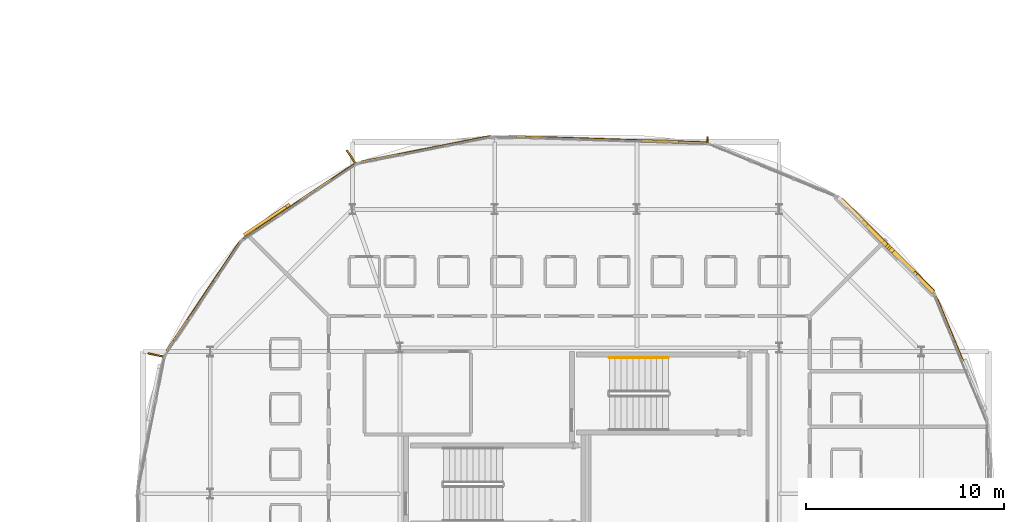
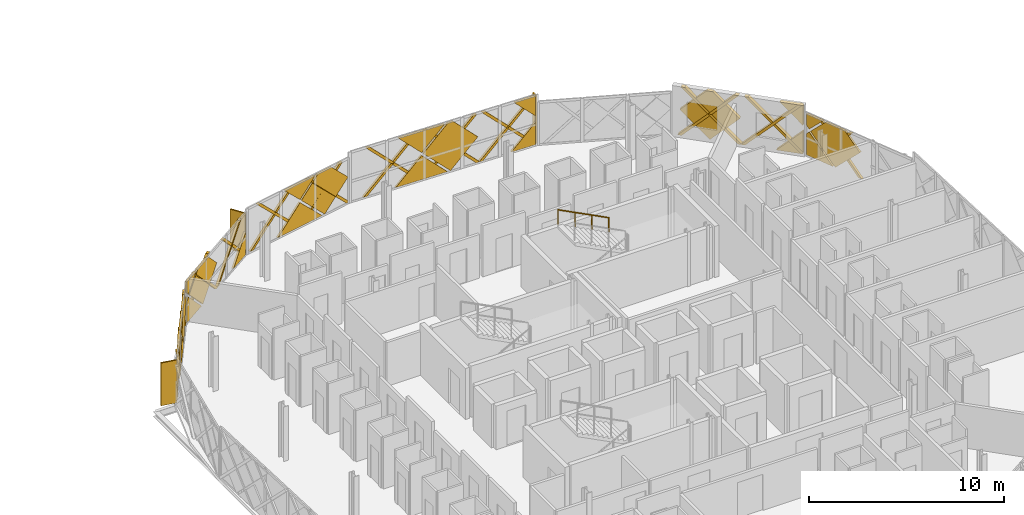
# One storey, part 25 of 26: 45 coverings, 3 shading devices, 1 railing.
"""IFC4 building model written with IfcOpenShell, lengths in metres."""

from ifc_helpers import new_model, si_unit, direction, frame, origin, origin_2d, place, context, subcontext, project, spatial, polyline, rectangle, circle, outline, extrude, material, layer, layer_set, type_object, element, save


model = new_model("IFC4")

# Units and contexts
model_context = context("Model", 3, precision=1e-05, world=origin(), true_north=direction((0.0, 1.0)))
body_context = subcontext(model_context, "Body", "Model", "MODEL_VIEW")
ifc_project = project(units=[si_unit("LENGTHUNIT", "METRE"), si_unit("AREAUNIT", "SQUARE_METRE"), si_unit("VOLUMEUNIT", "CUBIC_METRE"), si_unit("PLANEANGLEUNIT", "RADIAN"), si_unit("MASSUNIT", "GRAM", prefix="KILO")], contexts=[model_context])

# Site, building, storey
site_placement = place(None, origin())
site = spatial("IfcSite", under=ifc_project, at=site_placement, CompositionType="ELEMENT")
building_placement = place(site_placement, origin())
building = spatial("IfcBuilding", under=site, at=building_placement, Name="Zevrakil Square Congress Hotel", CompositionType="ELEMENT")
storey_placement = place(building_placement, frame((0.0, 0.0, 24.89990234375)))
storey = spatial("IfcBuildingStorey", under=building, at=storey_placement, Name="L07", CompositionType="ELEMENT", Elevation=24.89990234375)

# Coverings
ifc_material_1 = material(Name="Architectural White Fibre-C GRC", Category="concrete")
ifc_layer_1 = layer(ifc_material_1, 0.06494140625)
ifc_layer_set_1 = layer_set([ifc_layer_1], Name="Architectural White Fibre-C GRC")
covering_type_1 = type_object("IfcCoveringType", Name="COV-DIA-WHITE", PredefinedType="CLADDING", material=ifc_layer_set_1)
covering_1_placement = place(storey_placement, frame((164.0302734375, 41.05224609375, 1.590087890625), z_axis=(0.92386810369, 0.382710638562, 0.000542324282), x_axis=(-0.270236009364, 0.653355103566, -0.707177211092)))
element("IfcCovering", 1, at=covering_1_placement, inside=storey, type_object=covering_type_1, Name="L07 45-degree white GRC diamond facade cassette 2671", PredefinedType="CLADDING", context=body_context, shape_type="SweptSolid", body=[
    extrude(outline(polyline([(0.0, 0.0), (0.26272196635071365, 2.7755575615628914e-17), (1.1991408726097759, -0.9363095231817212), (0.00019873089311528425, -2.135490849810203), (0.0, 0.0)])), origin(), (0.0, 0.0, -1.0), 0.1201171875),
])
covering_2_placement = place(storey_placement, frame((164.064697265625, 40.968994140625, 1.68017578125), z_axis=(0.923877977924, 0.382686728164, 0.000591603145), x_axis=(0.270972636356, -0.65308589072, -0.707144009159)))
element("IfcCovering", 2, at=covering_2_placement, inside=storey, type_object=covering_type_1, Name="L07 45-degree white GRC diamond facade cassette 2672", PredefinedType="CLADDING", context=body_context, shape_type="SweptSolid", body=[
    extrude(outline(polyline([(0.0, 0.0), (2.248605533367828, 2.220446049250313e-16), (2.248317905914291, -2.2485555053531043), (0.8837421533127142, -2.2484028603767086), (-9.63794901561732e-05, -1.3644710871021657), (0.0, 0.0)])), origin(), (0.0, 0.0, -1.0), 0.1201171875),
])
covering_3_placement = place(storey_placement, frame((164.0302734375, 41.05224609375, 1.77001953125), z_axis=(0.923845583399, 0.38276452138, 0.000811916158), x_axis=(0.270116807376, -0.653457502683, 0.707128137299)))
element("IfcCovering", 3, at=covering_3_placement, inside=storey, type_object=covering_type_1, Name="L07 45-degree white GRC diamond facade cassette 2673", PredefinedType="CLADDING", context=body_context, shape_type="SweptSolid", body=[
    extrude(outline(polyline([(0.0, 0.0), (1.2373995122715622, -1.1102230246251565e-16), (0.48735491597343306, -0.7500903814316147), (-3.179190812246935e-05, -0.26278809442613704), (0.0, 0.0)])), origin(), (0.0, 0.0, -1.0), 0.1201171875),
])
covering_4_placement = place(storey_placement, frame((162.886474609375, 42.46826171875, 0.080078125), z_axis=(0.707106648673, 0.707106648673, 0.000612213549), x_axis=(0.707106781187, -0.707106781187, 0.0)))
element("IfcCovering", 4, at=covering_4_placement, inside=storey, type_object=covering_type_1, Name="L07 45-degree white GRC diamond facade cassette 2678", PredefinedType="CLADDING", context=body_context, shape_type="SweptSolid", body=[
    extrude(outline(polyline([(0.0, 0.0), (1.4100703585770802, 0.0), (1.4098977250855795, -1.4099123735964307), (0.0, 0.0)])), origin(), (0.0, 0.0, -1.0), 0.2099609375),
])
covering_5_placement = place(storey_placement, frame((159.265380859375, 46.087890625, 1.68017578125), z_axis=(0.707106641906, 0.707106641906, 0.000627649203), x_axis=(0.500292804494, -0.499665128889, -0.707136386239)))
element("IfcCovering", 5, at=covering_5_placement, inside=storey, type_object=covering_type_1, Name="L07 45-degree white GRC diamond facade cassette 2680", PredefinedType="CLADDING", context=body_context, shape_type="SweptSolid", body=[
    extrude(outline(polyline([(0.0, 0.0), (2.24862974849449, -2.220446049250313e-16), (2.2484405679846855, -2.248629740536474), (0.22621762743305207, -2.248550819456704), (-9.121149439694776e-05, -2.022222940034629), (0.0, 0.0)])), origin(), (0.0, 0.0, -1.0), 0.2099609375),
])
covering_6_placement = place(storey_placement, frame((163.8828125, 41.470458984375, 1.8701171875), z_axis=(0.707106609866, 0.707106609866, 0.000696108102), x_axis=(-0.000590667305, -0.000393778204, 0.999999748025)))
element("IfcCovering", 6, at=covering_6_placement, inside=storey, type_object=covering_type_1, Name="L07 45-degree white GRC diamond facade cassette 2681", PredefinedType="CLADDING", context=body_context, shape_type="SweptSolid", body=[
    extrude(outline(polyline([(0.0, 0.0), (1.2399905468211239, -2.710505431213761e-20), (1.2401631612655943, -1.2398537239416354), (0.0, 0.0)])), origin(), (0.0, 0.0, -1.0), 0.2099609375),
])
covering_7_placement = place(storey_placement, frame((150.901611328125, 49.0576171875, 0.080078125), z_axis=(0.031515860743, 0.999503012125, 0.000692296459), x_axis=(0.999503251643, -0.031515868295, 0.0)))
element("IfcCovering", 7, at=covering_7_placement, inside=storey, type_object=covering_type_1, Name="L07 45-degree white GRC diamond facade cassette 2694", PredefinedType="CLADDING", context=body_context, shape_type="SweptSolid", body=[
    extrude(outline(polyline([(0.0, 0.0), (1.4098800430944958, 0.0), (1.4099108203096278, -1.4099124472425022), (0.0, 0.0)])), origin(), (0.0, 0.0, -1.0), 0.1201171875),
])
covering_8_placement = place(storey_placement, frame((145.694091796875, 49.22119140625, 1.590087890625), z_axis=(0.031608260045, 0.999500069571, 0.000727202961), x_axis=(-0.70675041326, 0.022864782053, -0.707093384991)))
element("IfcCovering", 8, at=covering_8_placement, inside=storey, type_object=covering_type_1, Name="L07 45-degree white GRC diamond facade cassette 2695", PredefinedType="CLADDING", context=body_context, shape_type="SweptSolid", body=[
    extrude(outline(polyline([(0.0, 0.0), (2.1355167474011854, 0.0), (-3.067431088421557e-05, -2.1354676370165535), (0.0, 0.0)])), origin(), (0.0, 0.0, -1.0), 0.1201171875),
])
covering_9_placement = place(storey_placement, frame((145.7841796875, 49.218505859375, 1.68017578125), z_axis=(0.031616713524, 0.999499883276, 0.000605605514), x_axis=(0.70671967958, -0.021926863397, -0.707153807283)))
element("IfcCovering", 9, at=covering_9_placement, inside=storey, type_object=covering_type_1, Name="L07 45-degree white GRC diamond facade cassette 2696", PredefinedType="CLADDING", context=body_context, shape_type="SweptSolid", body=[
    extrude(outline(polyline([(0.0, 0.0), (2.248574308503788, 0.0), (2.2483180313713227, -2.2486179779513296), (0.22611892427646607, -2.2485130193019938), (-0.00012662788407435954, -2.0222373799175806), (0.0, 0.0)])), origin(), (0.0, 0.0, -1.0), 0.1201171875),
])
covering_10_placement = place(storey_placement, frame((152.310791015625, 49.011962890625, 1.8701171875), z_axis=(0.03149903039, 0.999503608069, 0.000590374252), x_axis=(0.0, -0.000590667351, 0.999999825556)))
element("IfcCovering", 10, at=covering_10_placement, inside=storey, type_object=covering_type_1, Name="L07 45-degree white GRC diamond facade cassette 2697", PredefinedType="CLADDING", context=body_context, shape_type="SweptSolid", body=[
    extrude(outline(polyline([(0.0, 0.0), (1.2399904506838633, -3.3881317890172014e-21), (1.2399673777404576, -1.240117321133198), (0.0, 0.0)])), origin(), (0.0, 0.0, -1.0), 0.1201171875),
])
covering_11_placement = place(storey_placement, frame((145.694091796875, 49.22119140625, 1.77001953125), z_axis=(0.031610146257, 0.999500071274, 0.00063732014), x_axis=(0.706729672928, -0.022801887005, 0.707116145589)))
element("IfcCovering", 11, at=covering_11_placement, inside=storey, type_object=covering_type_1, Name="L07 45-degree white GRC diamond facade cassette 2698", PredefinedType="CLADDING", context=body_context, shape_type="SweptSolid", body=[
    extrude(outline(polyline([(0.0, 0.0), (1.8951453717819282, 2.220446049250313e-16), (8.916422478955077e-05, -1.8951071717858188), (0.0, 0.0)])), origin(), (0.0, 0.0, -1.0), 0.1201171875),
])
covering_12_placement = place(storey_placement, frame((138.18115234375, 48.69677734375, 1.590087890625), z_axis=(-0.195058894266, 0.98079136516, 0.00057078403), x_axis=(-0.693609627274, -0.137532945708, -0.707099974401)))
element("IfcCovering", 12, at=covering_12_placement, inside=storey, type_object=covering_type_1, Name="L07 45-degree white GRC diamond facade cassette 2705", PredefinedType="CLADDING", context=body_context, shape_type="SweptSolid", body=[
    extrude(outline(polyline([(0.0, 0.0), (2.135496846686384, 0.0), (-0.00010681681684965305, -2.1355632441343193), (0.0, 0.0)])), origin(), (0.0, 0.0, -1.0), 0.1201171875),
])
covering_13_placement = place(storey_placement, frame((138.26953125, 48.71435546875, 1.68017578125), z_axis=(-0.195078982795, 0.98078735307, 0.000598773963), x_axis=(0.693429313558, 0.138355054865, -0.707116444365)))
element("IfcCovering", 13, at=covering_13_placement, inside=storey, type_object=covering_type_1, Name="L07 45-degree white GRC diamond facade cassette 2706", PredefinedType="CLADDING", context=body_context, shape_type="SweptSolid", body=[
    extrude(outline(polyline([(0.0, 0.0), (2.2486930585312424, -2.220446049250313e-16), (2.2486004483288258, -2.234506573176084), (2.2344443085734693, -2.24866232094878), (0.6716698142640039, -2.248544897984588), (5.325206293926854e-06, -1.5768618092773996), (0.0, 0.0)])), origin(), (0.0, 0.0, -1.0), 0.1201171875),
])
covering_14_placement = place(storey_placement, frame((138.18115234375, 48.69677734375, 1.77001953125), z_axis=(-0.195062516044, 0.980790526335, 0.000747186019), x_axis=(0.693630781626, 0.137412653024, 0.707102610354)))
element("IfcCovering", 14, at=covering_14_placement, inside=storey, type_object=covering_type_1, Name="L07 45-degree white GRC diamond facade cassette 2707", PredefinedType="CLADDING", context=body_context, shape_type="SweptSolid", body=[
    extrude(outline(polyline([(0.0, 0.0), (1.4497846131012255, 0.0), (0.00012029593157258933, -1.4496480250923227), (0.0, 0.0)])), origin(), (0.0, 0.0, -1.0), 0.1201171875),
])
covering_15_placement = place(storey_placement, frame((133.315673828125, 47.13330078125, 0.080078125), z_axis=(-0.555618744269, 0.831436961663, 0.000624337381), x_axis=(0.831437123709, 0.555618852558, 0.0)))
element("IfcCovering", 15, at=covering_15_placement, inside=storey, type_object=covering_type_1, Name="L07 45-degree white GRC diamond facade cassette 2712", PredefinedType="CLADDING", context=body_context, shape_type="SweptSolid", body=[
    extrude(outline(polyline([(0.0, 0.0), (1.4100444252712594, -5.421010862427522e-20), (1.4100434530275447, -1.409912384164952), (0.0, 0.0)])), origin(), (0.0, 0.0, -1.0), 0.1201171875),
])
covering_16_placement = place(storey_placement, frame((128.984130859375, 44.238037109375, 1.590087890625), z_axis=(-0.55554813112, 0.831484238972, 0.000484096162), x_axis=(-0.588049787097, -0.392488018057, -0.707213265979)))
element("IfcCovering", 16, at=covering_16_placement, inside=storey, type_object=covering_type_1, Name="L07 45-degree white GRC diamond facade cassette 2713", PredefinedType="CLADDING", context=body_context, shape_type="SweptSolid", body=[
    extrude(outline(polyline([(0.0, 0.0), (0.26270868023988514, 2.7755575615628914e-17), (1.1991656696003137, -0.9362712710900696), (0.0002890137973388107, -2.1355094407174176), (0.0, 0.0)])), origin(), (0.0, 0.0, -1.0), 0.1201171875),
])
covering_17_placement = place(storey_placement, frame((129.05908203125, 44.2880859375, 1.68017578125), z_axis=(-0.555562640549, 0.831474440959, 0.000637540157), x_axis=(0.587666672332, 0.393200872534, -0.707135740908)))
element("IfcCovering", 17, at=covering_17_placement, inside=storey, type_object=covering_type_1, Name="L07 45-degree white GRC diamond facade cassette 2714", PredefinedType="CLADDING", context=body_context, shape_type="SweptSolid", body=[
    extrude(outline(polyline([(0.0, 0.0), (2.248631625319576, 0.0), (2.248445208742129, -2.2486303480690446), (0.8838600074465696, -2.248484379017242), (-1.5360345191006708e-05, -1.3645363621063007), (0.0, 0.0)])), origin(), (0.0, 0.0, -1.0), 0.1201171875),
])
covering_18_placement = place(storey_placement, frame((128.984375, 44.23779296875, 1.77001953125), z_axis=(-0.555367443162, 0.831604955318, 0.000448737996), x_axis=(0.588225858093, 0.392450997018, 0.707087374241)))
element("IfcCovering", 18, at=covering_18_placement, inside=storey, type_object=covering_type_1, Name="L07 45-degree white GRC diamond facade cassette 2715", PredefinedType="CLADDING", context=body_context, shape_type="SweptSolid", body=[
    extrude(outline(polyline([(0.0, 0.0), (1.2374706826950737, 2.220446049250313e-16), (0.48731523052432096, -0.7501145754835952), (3.2276094379807274e-05, -0.26270859430119997), (0.0, 0.0)])), origin(), (0.0, 0.0, -1.0), 0.1201171875),
])
covering_19_placement = place(storey_placement, frame((126.85400390625, 41.259521484375, 1.590087890625), z_axis=(-0.831477563043, 0.555557978924, 0.000627862189), x_axis=(-0.393187686399, -0.58766638793, -0.707143309211)))
element("IfcCovering", 19, at=covering_19_placement, inside=storey, type_object=covering_type_1, Name="L07 45-degree white GRC diamond facade cassette 2720", PredefinedType="CLADDING", context=body_context, shape_type="SweptSolid", body=[
    extrude(outline(polyline([(0.0, 0.0), (2.135365980213563, 0.0), (7.921732547955251e-05, -2.135508233026097), (0.0, 0.0)])), origin(), (0.0, 0.0, -1.0), 0.1201171875),
])
covering_20_placement = place(storey_placement, frame((126.904052734375, 41.33447265625, 1.68017578125), z_axis=(-0.831463641681, 0.555578867869, 0.000578048391), x_axis=(0.392497378177, 0.588136225553, -0.707136187956)))
element("IfcCovering", 20, at=covering_20_placement, inside=storey, type_object=covering_type_1, Name="L07 45-degree white GRC diamond facade cassette 2721", PredefinedType="CLADDING", context=body_context, shape_type="SweptSolid", body=[
    extrude(outline(polyline([(0.0, 0.0), (2.248630358419341, -2.220446049250313e-16), (2.2485320705424106, -2.2345633498264954), (2.234375535529621, -2.2487187026650597), (0.883811762471891, -2.2484378527616724), (3.2842620057205174e-05, -1.364585207899492), (0.0, 0.0)])), origin(), (0.0, 0.0, -1.0), 0.1201171875),
])
covering_21_placement = place(storey_placement, frame((126.85400390625, 41.259521484375, 1.77001953125), z_axis=(-0.83149166577, 0.555536881392, 0.000619006756), x_axis=(0.393198795927, 0.587726649808, 0.707087046966)))
element("IfcCovering", 21, at=covering_21_placement, inside=storey, type_object=covering_type_1, Name="L07 45-degree white GRC diamond facade cassette 2722", PredefinedType="CLADDING", context=body_context, shape_type="SweptSolid", body=[
    extrude(outline(polyline([(0.0, 0.0), (1.23747140292639, 1.1102230246251565e-16), (2.7936559897856483e-05, -1.2373748732150238), (0.0, 0.0)])), origin(), (0.0, 0.0, -1.0), 0.1201171875),
])
ifc_material_2 = material(Name="Anodised Champagne Aluminium", Category="aluminium")
ifc_layer_2 = layer(ifc_material_2, 0.0849609375)
ifc_layer_set_2 = layer_set([ifc_layer_2], Name="Anodised Champagne Aluminium")
covering_type_2 = type_object("IfcCoveringType", Name="COV-DIAGRID-45", PredefinedType="MOLDING", material=ifc_layer_set_2)
covering_22_placement = place(storey_placement, frame((165.268798828125, 38.1298828125, 0.080078125), z_axis=(0.923925444596, 0.382571868404, 0.000733713276), x_axis=(0.382571971644, -0.923925693177, -3.89905e-07)))
element("IfcCovering", 22, at=covering_22_placement, inside=storey, type_object=covering_type_2, Name="L07 45-degree aluminium diagrid rib 2675", PredefinedType="MOLDING", context=body_context, shape_type="SweptSolid", body=[
    extrude(outline(polyline([(0.0, 0.0), (0.21223359330528313, 0.0), (-2.352804578751418, -2.5649411792781356), (-2.564944770696436, -2.5649410138124664), (0.0, 0.0)])), origin(), (0.0, 0.0, -1.0), 0.14501953125),
])
covering_23_placement = place(storey_placement, frame((165.105712890625, 38.52001953125, 2.64501953125), z_axis=(0.923552244544, 0.383469946924, 0.001432272306), x_axis=(-0.383470340251, 0.923553191835, 0.0)))
element("IfcCovering", 23, at=covering_23_placement, inside=storey, type_object=covering_type_2, Name="L07 45-degree aluminium diagrid rib 2677", PredefinedType="MOLDING", context=body_context, shape_type="SweptSolid", body=[
    extrude(outline(polyline([(0.0, 0.0), (0.21200812577023703, -2.710505431213761e-20), (2.777049960640697, -2.5649440371195236), (2.56504183487046, -2.5649440371195236), (0.0, 0.0)])), origin(), (0.0, 0.0, -1.0), 0.14501953125),
])
covering_24_placement = place(storey_placement, frame((163.84033203125, 41.5498046875, 0.080078125), z_axis=(0.707264314761, 0.706948712762, 0.00084058837), x_axis=(0.706948962635, -0.707264564523, -1.87589e-07)))
element("IfcCovering", 24, at=covering_24_placement, inside=storey, type_object=covering_type_2, Name="L07 45-degree aluminium diagrid rib 2683", PredefinedType="MOLDING", context=body_context, shape_type="SweptSolid", body=[
    extrude(outline(polyline([(0.0, 0.0), (0.08597147662652055, -6.776263578034403e-21), (0.08614412496168612, -0.12622080364563068), (-2.817896556215111, -3.03002982263316), (-3.0298904784989813, -3.03002982263316), (0.0, 0.0)])), origin(), (0.0, 0.0, -1.0), 0.235107421875),
])
covering_25_placement = place(storey_placement, frame((161.46435546875, 43.925537109375, 0.080078125), z_axis=(0.706819151096, 0.707394268387, 0.000191566746), x_axis=(0.707394281377, -0.706819164054, -7.7968e-08)))
element("IfcCovering", 25, at=covering_25_placement, inside=storey, type_object=covering_type_2, Name="L07 45-degree aluminium diagrid rib 2684", PredefinedType="MOLDING", context=body_context, shape_type="SweptSolid", body=[
    extrude(outline(polyline([(0.0, 0.0), (0.21216661371496484, 3.3881317890172014e-21), (-2.8177245535674937, -3.030029132781263), (-3.0300637305549327, -3.030029099683526), (0.0, 0.0)])), origin(), (0.0, 0.0, -1.0), 0.235107421875),
])
covering_26_placement = place(storey_placement, frame((163.868896484375, 41.5185546875, 3.110107421875), z_axis=(0.706818807173, 0.707393924185, 0.001004913989), x_axis=(-0.707394281077, 0.706819164355, -4.08668e-07)))
element("IfcCovering", 26, at=covering_26_placement, inside=storey, type_object=covering_type_2, Name="L07 45-degree aluminium diagrid rib 2685", PredefinedType="MOLDING", context=body_context, shape_type="SweptSolid", body=[
    extrude(outline(polyline([(0.0, 0.0), (0.21233917698745874, -1.3552527156068805e-20), (3.242402505478613, -3.030029501751848), (3.030235891763702, -3.030029675233673), (0.0, 0.0)])), origin(), (0.0, 0.0, -1.0), 0.235107421875),
])
covering_27_placement = place(storey_placement, frame((161.492919921875, 43.89453125, 3.110107421875), z_axis=(0.706818572787, 0.707394157944, 0.001005221842), x_axis=(-0.707394515054, 0.706818930188, -4.09125e-07)))
element("IfcCovering", 27, at=covering_27_placement, inside=storey, type_object=covering_type_2, Name="L07 45-degree aluminium diagrid rib 2686", PredefinedType="MOLDING", context=body_context, shape_type="SweptSolid", body=[
    extrude(outline(polyline([(0.0, 0.0), (0.2119939100044575, 2.710505431213761e-20), (3.2420572389036826, -3.0300295013457728), (3.0298906251601982, -3.030029674880743), (0.0, 0.0)])), origin(), (0.0, 0.0, -1.0), 0.235107421875),
])
covering_28_placement = place(storey_placement, frame((152.2255859375, 49.040771484375, 0.080078125), z_axis=(0.031640824042, 0.999499087663, 0.000657278484), x_axis=(0.999499303568, -0.031640830702, -2.67039e-07)))
element("IfcCovering", 28, at=covering_28_placement, inside=storey, type_object=covering_type_2, Name="L07 45-degree aluminium diagrid rib 2699", PredefinedType="MOLDING", context=body_context, shape_type="SweptSolid", body=[
    extrude(outline(polyline([(0.0, 0.0), (0.08597944433436763, 0.0), (0.08597941062856607, -0.1262206758603737), (-2.8177546525230484, -3.0300292037310985), (-3.0300229235337985, -3.0300290684019546), (0.0, 0.0)])), origin(), (0.0, 0.0, -1.0), 0.14501953125),
])
covering_29_placement = place(storey_placement, frame((148.8671875, 49.14697265625, 0.080078125), z_axis=(0.032222728564, 0.999479991339, 0.001201115124), x_axis=(0.999480712304, -0.03222275178, -2.2257e-08)))
element("IfcCovering", 29, at=covering_29_placement, inside=storey, type_object=covering_type_2, Name="L07 45-degree aluminium diagrid rib 2700", PredefinedType="MOLDING", context=body_context, shape_type="SweptSolid", body=[
    extrude(outline(polyline([(0.0, 0.0), (0.21226830469775917, 0.0), (-2.817752269472516, -3.0300314198394602), (-3.0297765603244975, -3.030031410395859), (0.0, 0.0)])), origin(), (0.0, 0.0, -1.0), 0.14501953125),
])
covering_30_placement = place(storey_placement, frame((145.509033203125, 49.253173828125, 0.080078125), z_axis=(0.031666131732, 0.999498267032, 0.000685785228), x_axis=(0.999498502056, -0.031666139449, 3.94634e-07)))
element("IfcCovering", 30, at=covering_30_placement, inside=storey, type_object=covering_type_2, Name="L07 45-degree aluminium diagrid rib 2701", PredefinedType="MOLDING", context=body_context, shape_type="SweptSolid", body=[
    extrude(outline(polyline([(0.0, 0.0), (0.2120242557834968, 0.0), (-2.817996614306411, -3.0300311214669655), (-3.0300131390988314, -3.030031288807984), (0.0, 0.0)])), origin(), (0.0, 0.0, -1.0), 0.14501953125),
])
covering_31_placement = place(storey_placement, frame((152.267578125, 49.03759765625, 3.110107421875), z_axis=(0.031073050147, 0.99951644641, 0.001157112885), x_axis=(-0.999517115541, 0.031073070973, -2.0701e-08)))
element("IfcCovering", 31, at=covering_31_placement, inside=storey, type_object=covering_type_2, Name="L07 45-degree aluminium diagrid rib 2702", PredefinedType="MOLDING", context=body_context, shape_type="SweptSolid", body=[
    extrude(outline(polyline([(0.0, 0.0), (0.21201655986480766, 0.0), (3.2421531085967676, -3.0300312582284654), (3.0298925259986738, -3.030031267011606), (0.0, 0.0)])), origin(), (0.0, 0.0, -1.0), 0.14501953125),
])
covering_32_placement = place(storey_placement, frame((148.9091796875, 49.143798828125, 3.110107421875), z_axis=(0.031090932667, 0.99951590944, 0.00114047498), x_axis=(-0.999516559467, 0.031090952887, 0.0)))
element("IfcCovering", 32, at=covering_32_placement, inside=storey, type_object=covering_type_2, Name="L07 45-degree aluminium diagrid rib 2703", PredefinedType="MOLDING", context=body_context, shape_type="SweptSolid", body=[
    extrude(outline(polyline([(0.0, 0.0), (0.21201655989873802, 8.470329472543003e-22), (3.2419090854803794, -3.0300312674309935), (3.0298925255816416, -3.0300312674309935), (0.0, 0.0)])), origin(), (0.0, 0.0, -1.0), 0.14501953125),
])
covering_33_placement = place(storey_placement, frame((145.551025390625, 49.25, 3.110107421875), z_axis=(0.031647922437, 0.999498932243, 0.000541710544), x_axis=(-0.9994990789, 0.031647926917, 3.01867e-07)))
element("IfcCovering", 33, at=covering_33_placement, inside=storey, type_object=covering_type_2, Name="L07 45-degree aluminium diagrid rib 2704", PredefinedType="MOLDING", context=body_context, shape_type="SweptSolid", body=[
    extrude(outline(polyline([(0.0, 0.0), (0.21201652698043927, 4.235164736271502e-22), (3.242153611463968, -3.030030720157209), (3.0298853396090615, -3.030030592079464), (0.0, 0.0)])), origin(), (0.0, 0.0, -1.0), 0.14501953125),
])
covering_34_placement = place(storey_placement, frame((141.2890625, 49.34130859375, 0.080078125), z_axis=(-0.195654490536, 0.980672891227, 2.73236e-05), x_axis=(0.980672891593, 0.195654490609, 2.325e-09)))
element("IfcCovering", 34, at=covering_34_placement, inside=storey, type_object=covering_type_2, Name="L07 45-degree aluminium diagrid rib 2708", PredefinedType="MOLDING", context=body_context, shape_type="SweptSolid", body=[
    extrude(outline(polyline([(0.0, 0.0), (0.08613598152906501, 0.0), (0.08613598182255673, -0.12622070307788313), (-2.502731313838603, -2.7150878975337163), (-2.714839362432451, -2.715087898138755), (0.0, 0.0)])), origin(), (0.0, 0.0, -1.0), 0.14501953125),
])
covering_35_placement = place(storey_placement, frame((137.99365234375, 48.685791015625, 0.080078125), z_axis=(-0.195563039768, 0.980691125896, 0.000114302649), x_axis=(0.980691132302, 0.195563041047, -1.2865e-08)))
element("IfcCovering", 35, at=covering_35_placement, inside=storey, type_object=covering_type_2, Name="L07 45-degree aluminium diagrid rib 2709", PredefinedType="MOLDING", context=body_context, shape_type="SweptSolid", body=[
    extrude(outline(polyline([(0.0, 0.0), (0.21210804728993785, 0.0), (-2.502731337022178, -2.7150878761648265), (-2.7150788108580883, -2.7150878707043797), (0.0, 0.0)])), origin(), (0.0, 0.0, -1.0), 0.14501953125),
])
covering_36_placement = place(storey_placement, frame((141.021728515625, 49.28662109375, 2.795166015625), z_axis=(-0.195673276899, 0.980668423047, 0.001188589638), x_axis=(-0.980669115765, -0.195673415118, 0.0)))
element("IfcCovering", 36, at=covering_36_placement, inside=storey, type_object=covering_type_2, Name="L07 45-degree aluminium diagrid rib 2710", PredefinedType="MOLDING", context=body_context, shape_type="SweptSolid", body=[
    extrude(outline(polyline([(0.0, 0.0), (0.21210804863334146, 0.0), (2.927044648161916, -2.7150898084908976), (2.7149365995285746, -2.7150898084908976), (0.0, 0.0)])), origin(), (0.0, 0.0, -1.0), 0.14501953125),
])
covering_37_placement = place(storey_placement, frame((137.726318359375, 48.631103515625, 2.795166015625), z_axis=(-0.195562925969, 0.980690555225, 0.00108484012), x_axis=(-0.980691132277, -0.195563041176, 1.22097e-07)))
element("IfcCovering", 37, at=covering_37_placement, inside=storey, type_object=covering_type_2, Name="L07 45-degree aluminium diagrid rib 2711", PredefinedType="MOLDING", context=body_context, shape_type="SweptSolid", body=[
    extrude(outline(polyline([(0.0, 0.0), (0.21210804728993934, 0.0), (2.9272840878729287, -2.7150898457031167), (2.7149366140370237, -2.7150897938783185), (0.0, 0.0)])), origin(), (0.0, 0.0, -1.0), 0.14501953125),
])
covering_38_placement = place(storey_placement, frame((134.402587890625, 47.8896484375, 0.080078125), z_axis=(-0.556033806131, 0.831159675, 3.3065796e-05), x_axis=(0.831159675454, 0.556033806435, 9.95e-10)))
element("IfcCovering", 38, at=covering_38_placement, inside=storey, type_object=covering_type_2, Name="L07 45-degree aluminium diagrid rib 2716", PredefinedType="MOLDING", context=body_context, shape_type="SweptSolid", body=[
    extrude(outline(polyline([(0.0, 0.0), (0.08606260033432345, -2.117582368135751e-22), (0.086062600459928, -0.1262207030559985), (-2.3528745504443145, -2.564941410046224), (-2.5649501398452315, -2.564941410206527), (0.0, 0.0)])), origin(), (0.0, 0.0, -1.0), 0.14501953125),
])
covering_39_placement = place(storey_placement, frame((131.60888671875, 46.02294921875, 0.080078125), z_axis=(-0.555629872941, 0.83142957153, 0.000558463844), x_axis=(0.831429701101, 0.55562995971, -2.67264e-07)))
element("IfcCovering", 39, at=covering_39_placement, inside=storey, type_object=covering_type_2, Name="L07 45-degree aluminium diagrid rib 2717", PredefinedType="MOLDING", context=body_context, shape_type="SweptSolid", body=[
    extrude(outline(polyline([(0.0, 0.0), (0.21207556512078107, 0.0), (-2.3530105707361844, -2.5649411773551662), (-2.5649504840113333, -2.56494106403121), (0.0, 0.0)])), origin(), (0.0, 0.0, -1.0), 0.14501953125),
])
covering_40_placement = place(storey_placement, frame((134.0517578125, 47.6533203125, 2.64501953125), z_axis=(-0.555629830266, 0.831429507672, 0.000682268485), x_axis=(-0.831429701308, -0.555629959401, -3.26722e-07)))
element("IfcCovering", 40, at=covering_40_placement, inside=storey, type_object=covering_type_2, Name="L07 45-degree aluminium diagrid rib 2718", PredefinedType="MOLDING", context=body_context, shape_type="SweptSolid", body=[
    extrude(outline(polyline([(0.0, 0.0), (0.21193991327518277, 1.3552527156068805e-20), (2.77695493170531, -2.5649410959362084), (2.56487936658457, -2.5649412344713203), (0.0, 0.0)])), origin(), (0.0, 0.0, -1.0), 0.14501953125),
])
covering_41_placement = place(storey_placement, frame((131.258056640625, 45.78662109375, 2.64501953125), z_axis=(0.554965866712, -0.831873109334, 0.000129429042), x_axis=(-0.831873116299, -0.554965871364, -4.1371e-08)))
element("IfcCovering", 41, at=covering_41_placement, inside=storey, type_object=covering_type_2, Name="L07 45-degree aluminium diagrid rib 2719", PredefinedType="MOLDING", context=body_context, shape_type="SweptSolid", body=[
    extrude(outline(polyline([(0.0, 0.0), (0.2119399267493668, -1.6940658945086007e-21), (2.7771578058734074, 2.5649413128401917), (2.5650147851015066, 2.564941330384898), (0.0, 0.0)])), origin(), (0.0, 0.0, -1.0), 0.14501953125),
])
covering_42_placement = place(storey_placement, frame((128.595703125, 43.9130859375, 0.080078125), z_axis=(-0.831354311252, 0.555742162135, 0.000811411624), x_axis=(0.555742345257, 0.831354584812, 2.60083e-07)))
element("IfcCovering", 42, at=covering_42_placement, inside=storey, type_object=covering_type_2, Name="L07 45-degree aluminium diagrid rib 2723", PredefinedType="MOLDING", context=body_context, shape_type="SweptSolid", body=[
    extrude(outline(polyline([(0.0, 0.0), (0.08606259595222947, 6.776263578034403e-21), (0.0861983080636473, -0.1262208262286812), (-2.352937690132483, -2.5649428518802186), (-2.5648775877516834, -2.5649430126013275), (0.0, 0.0)])), origin(), (0.0, 0.0, -1.0), 0.14501953125),
])
covering_43_placement = place(storey_placement, frame((126.72900390625, 41.119384765625, 0.080078125), z_axis=(-0.831607268917, 0.555364023879, 0.000388929945), x_axis=(0.555364065983, 0.831607331747, 3.10498e-07)))
element("IfcCovering", 43, at=covering_43_placement, inside=storey, type_object=covering_type_2, Name="L07 45-degree aluminium diagrid rib 2724", PredefinedType="MOLDING", context=body_context, shape_type="SweptSolid", body=[
    extrude(outline(polyline([(0.0, 0.0), (0.21207552182393774, -6.776263578034403e-21), (-2.3529382581706657, -2.5649423308269395), (-2.565081222198159, -2.5649424625458073), (0.0, 0.0)])), origin(), (0.0, 0.0, -1.0), 0.14501953125),
])
covering_44_placement = place(storey_placement, frame((128.362060546875, 43.560546875, 2.64501953125), z_axis=(-0.831607030114, 0.555363864401, 0.000851811113), x_axis=(-0.555364065787, -0.831607331878, 1.35529e-07)))
element("IfcCovering", 44, at=covering_44_placement, inside=storey, type_object=covering_type_2, Name="L07 45-degree aluminium diagrid rib 2725", PredefinedType="MOLDING", context=body_context, shape_type="SweptSolid", body=[
    extrude(outline(polyline([(0.0, 0.0), (0.21193993489378232, 1.3552527156068805e-20), (2.7772274451020147, -2.5649427131832914), (2.5649488941443495, -2.564942655689381), (0.0, 0.0)])), origin(), (0.0, 0.0, -1.0), 0.14501953125),
])
covering_45_placement = place(storey_placement, frame((126.495361328125, 40.766845703125, 2.64501953125), z_axis=(-0.83134148044, 0.555761847824, 0.000333770475), x_axis=(-0.55576187881, -0.831341526727, -1.06772e-07)))
element("IfcCovering", 45, at=covering_45_placement, inside=storey, type_object=covering_type_2, Name="L07 45-degree aluminium diagrid rib 2726", PredefinedType="MOLDING", context=body_context, shape_type="SweptSolid", body=[
    extrude(outline(polyline([(0.0, 0.0), (0.21207557855528963, 6.776263578034403e-21), (2.7772287940489995, -2.564941252591386), (2.564950251253786, -2.5649412979003876), (0.0, 0.0)])), origin(), (0.0, 0.0, -1.0), 0.14501953125),
])

# Railing
ifc_material_3 = material(Name="Steel S355", Category="steel")
railing_type = type_object("IfcRailingType", Name="RLG-STAIR-HAND-900", PredefinedType="HANDRAIL", material=ifc_material_3)
railing_placement = place(storey_placement, frame((150.39990234375, 38.10009765625, 1.854736328125)))
element("IfcRailing", 46, at=railing_placement, inside=storey, type_object=railing_type, Name="L07 ST03 stair handrail 2", PredefinedType="HANDRAIL", context=body_context, shape_type="SweptSolid", body=[
    extrude(circle(Radius=0.02392578125, at=origin_2d()), frame((0.0, 0.0, 0.8759765625), z_axis=(-0.888979911393, 0.0, 0.45794619459), x_axis=(0.0, -1.0, 0.0)), (0.0, 0.0, 1.0), 3.374755859375),
    extrude(circle(Radius=0.02099609375, at=origin_2d()), origin(), (0.0, 0.0, 1.0), 0.851806640625),
    extrude(circle(Radius=0.02099609375, at=origin_2d()), frame((-1.0, 0.0, 0.51513671875)), (0.0, 0.0, 1.0), 0.851806640625),
    extrude(circle(Radius=0.02099609375, at=origin_2d()), frame((-2.0, 0.0, 1.0302734375)), (0.0, 0.0, 1.0), 0.851806640625),
    extrude(circle(Radius=0.02099609375, at=origin_2d()), frame((-3.0, 0.0, 1.54541015625)), (0.0, 0.0, 1.0), 0.851806640625),
])

# Shading devices
ifc_material_4 = material(Name="Aluminium Anodised Bronze", Category="aluminium")
shading_device_type_1 = type_object("IfcShadingDeviceType", Name="SHD-FIN-35", PredefinedType="JALOUSIE", material=ifc_material_4)
shading_device_1_placement = place(storey_placement, frame((152.3740234375, 49.111083984375, 0.10009765625), z_axis=(0.0, 0.0, 1.0), x_axis=(0.031602649982, 0.999500511513, 0.0)))
element("IfcShadingDevice", 47, at=shading_device_1_placement, inside=storey, type_object=shading_device_type_1, Name="L07 aluminium solar shading fin 149", PredefinedType="JALOUSIE", context=body_context, shape_type="SweptSolid", body=[
    extrude(rectangle(XDim=0.35009765625, YDim=0.080078125, at=origin_2d()), origin(), (0.0, 0.0, 1.0), 2.989990234375),
])
ifc_material_5 = material(Name="Aluminium Anodised Bronze", Category="aluminium")
shading_device_type_2 = type_object("IfcShadingDeviceType", Name="SHD-FIN-85", PredefinedType="USERDEFINED", material=ifc_material_5)
shading_device_2_placement = place(storey_placement, frame((134.343505859375, 48.2412109375, 0.10009765625), z_axis=(0.0, 0.0, 1.0), x_axis=(-0.55557023302, 0.831469612303, 0.0)))
element("IfcShadingDevice", 48, at=shading_device_2_placement, inside=storey, type_object=shading_device_type_2, Name="L07 aluminium solar shading fin 150", ObjectType="SOLAR FIN", PredefinedType="USERDEFINED", context=body_context, shape_type="SweptSolid", body=[
    extrude(rectangle(XDim=0.85009765625, YDim=0.080078125, at=origin_2d()), origin(), (0.0, 0.0, 1.0), 2.52490234375),
])
shading_device_3_placement = place(storey_placement, frame((124.46240234375, 38.2236328125, 0.10009765625), z_axis=(0.0, 0.0, 1.0), x_axis=(-0.980785280403, 0.195090322016, 0.0)))
element("IfcShadingDevice", 49, at=shading_device_3_placement, inside=storey, type_object=shading_device_type_2, Name="L07 aluminium solar shading fin 151", ObjectType="SOLAR FIN", PredefinedType="USERDEFINED", context=body_context, shape_type="SweptSolid", body=[
    extrude(rectangle(XDim=0.85009765625, YDim=0.080078125, at=origin_2d()), origin(), (0.0, 0.0, 1.0), 2.675048828125),
])

save(model, "model.ifc")
